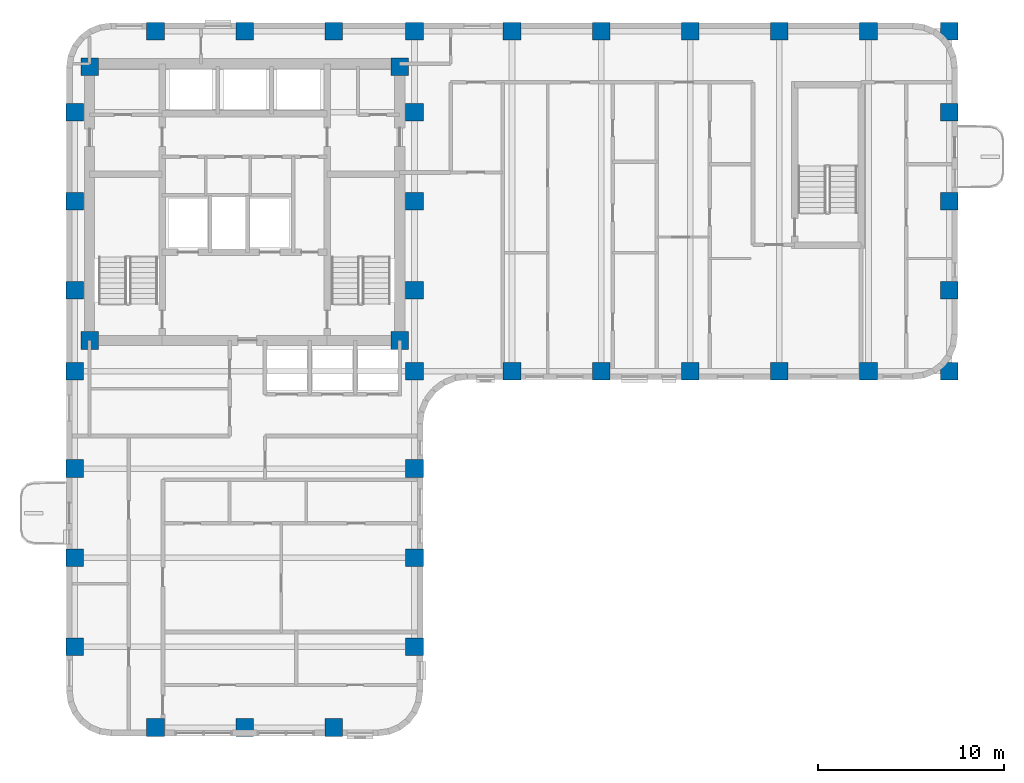
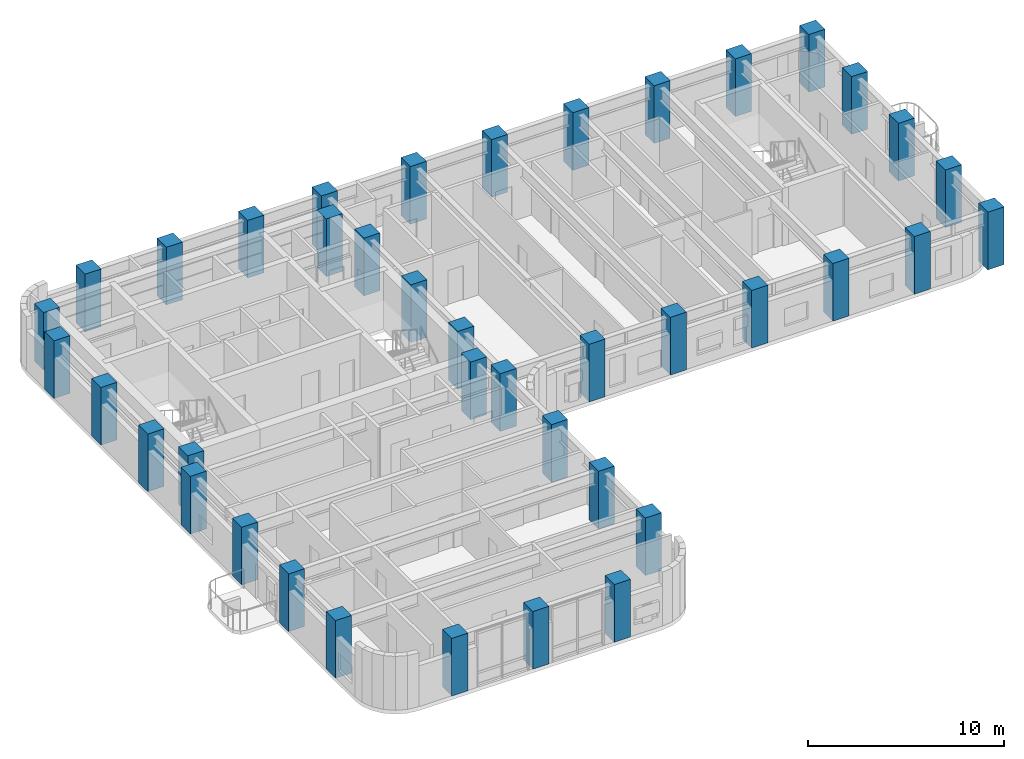
# One storey, part 1 of 11: 40 columns.
"""IFC4 building model written with IfcOpenShell, lengths in metres."""

import ifcopenshell
import ifcopenshell.guid

model = None  # the IFC model being written
_history = None  # IfcOwnerHistory: only IFC2X3 demands one
_inside = {}  # id of a spatial element -> (the spatial element, [elements in it])
_under = {}  # id of a project, library or spatial element -> (it, [spatial elements below it])
_declared = {}  # id of a project -> (the project, [libraries it declares])
_typed = {}  # id of a type object -> (the type object, [elements of that type])
_made_of = {}  # id of a material, layer set ... -> (it, [elements and type objects made of it])


def new_model(schema):
    """Start an empty IFC model of exactly this schema.

    Asked for "IFC4X3", IfcOpenShell would pick the latest addendum, in which some entities
    have other attributes; the version numbers below select the first issue.
    IFC2X3 requires an IfcOwnerHistory on every rooted entity: one is made here for all.
    """
    global model, _history
    if schema == "IFC4X3":
        model = ifcopenshell.file(schema_version=(4, 3, 0, 0))
    else:
        model = ifcopenshell.file(schema=schema)
    _inside.clear()
    _under.clear()
    _declared.clear()
    _typed.clear()
    _made_of.clear()
    _history = None
    if model.schema == "IFC2X3":
        org = make("IfcOrganization", Name="unknown")
        user = make(
            "IfcPersonAndOrganization",
            ThePerson=make("IfcPerson", FamilyName="unknown"),
            TheOrganization=org,
        )
        app = make(
            "IfcApplication",
            ApplicationDeveloper=org,
            Version="unknown",
            ApplicationFullName="unknown",
            ApplicationIdentifier="unknown",
        )
        _history = make(
            "IfcOwnerHistory",
            OwningUser=user,
            OwningApplication=app,
            ChangeAction="ADDED",
            CreationDate=0,
        )
    return model


def make(cls, **values):
    """One entity of the class cls with the attributes given. An attribute that is None is left unset."""
    return model.create_entity(
        cls, **{name: value for name, value in values.items() if value is not None}
    )


def rooted(cls, **values):
    """An entity with a GlobalId (a new one), such as an element, a storey or a relation."""
    return make(cls, GlobalId=ifcopenshell.guid.new(), OwnerHistory=_history, **values)


def si_unit(unit_type, name, prefix=None):
    """IfcSIUnit, for example si_unit("LENGTHUNIT", "METRE", prefix="MILLI")."""
    return make("IfcSIUnit", UnitType=unit_type, Prefix=prefix, Name=name)


def assignment(units):
    """IfcUnitAssignment: the units of a project."""
    return None if units is None else make("IfcUnitAssignment", Units=units)


def point(xyz):
    """IfcCartesianPoint."""
    return None if xyz is None else make("IfcCartesianPoint", Coordinates=xyz)


def direction(xyz):
    """IfcDirection."""
    return None if xyz is None else make("IfcDirection", DirectionRatios=xyz)


def frame(location, z_axis=None, x_axis=None):
    """IfcAxis2Placement3D, a coordinate frame: its origin and axes. An axis left out is left unset."""
    return make(
        "IfcAxis2Placement3D",
        Location=point(location),
        Axis=direction(z_axis),
        RefDirection=direction(x_axis),
    )


def frame_2d(location, x_axis=None):
    """IfcAxis2Placement2D, a coordinate frame in the plane: its origin and x axis."""
    return make(
        "IfcAxis2Placement2D", Location=point(location), RefDirection=direction(x_axis)
    )


def origin():
    """The frame at (0, 0, 0) with its axes left unset."""
    return frame((0.0, 0.0, 0.0))


def origin_2d():
    """The frame at (0, 0) in the plane with its x axis left unset."""
    return frame_2d((0.0, 0.0))


def place(relative_to, where):
    """IfcLocalPlacement: puts the frame where relative to a parent placement (None: the world)."""
    return make(
        "IfcLocalPlacement", PlacementRelTo=relative_to, RelativePlacement=where
    )


def context(
    kind, dimensions, precision=None, world=None, true_north=None, identifier=None
):
    """IfcGeometricRepresentationContext, for example the 3D "Model" context."""
    return make(
        "IfcGeometricRepresentationContext",
        ContextIdentifier=identifier,
        ContextType=kind,
        CoordinateSpaceDimension=dimensions,
        Precision=precision,
        WorldCoordinateSystem=world,
        TrueNorth=true_north,
    )


def subcontext(parent, identifier, kind, view, scale=None):
    """IfcGeometricRepresentationSubContext, for example "Body" below "Model"."""
    return make(
        "IfcGeometricRepresentationSubContext",
        ContextIdentifier=identifier,
        ContextType=kind,
        ParentContext=parent,
        TargetScale=scale,
        TargetView=view,
    )


def project(units=None, contexts=None):
    """IfcProject with its units and contexts."""
    return rooted(
        "IfcProject",
        Name="project",
        RepresentationContexts=contexts,
        UnitsInContext=assignment(units),
    )


def spatial(cls, under=None, at=None, **own):
    """A site, building, storey or space (cls), placed at a placement, below another one or the project."""
    s = rooted(cls, ObjectPlacement=at, **own)
    if under is not None:
        _under.setdefault(under.id(), (under, []))[1].append(s)
    return s


def profile(cls, at=None, kind="AREA", **sizes):
    """A parametric profile (cls). Its sizes go by their IFC names, for example OverallWidth=200.0."""
    return make(cls, ProfileType=kind, Position=at, **sizes)


def rectangle(**sizes):
    """IfcRectangleProfileDef."""
    return profile("IfcRectangleProfileDef", **sizes)


def extrude(swept, where, along, depth):
    """IfcExtrudedAreaSolid: the profile swept, set in the frame where, extruded along a direction by depth."""
    return make(
        "IfcExtrudedAreaSolid",
        SweptArea=swept,
        Position=where,
        ExtrudedDirection=direction(along),
        Depth=depth,
    )


def shape(context_of_items, identifier, shape_type, items):
    """IfcShapeRepresentation: the items that make up one representation, for example the "Body"."""
    return make(
        "IfcShapeRepresentation",
        ContextOfItems=context_of_items,
        RepresentationIdentifier=identifier,
        RepresentationType=shape_type,
        Items=items,
    )


def material(Name=None, Category=None):
    """IfcMaterial."""
    return make("IfcMaterial", Name=Name, Category=Category)


def material_profile(
    of_material, cross_section, Name=None, Category=None, Priority=None
):
    """IfcMaterialProfile: a cross section and its material."""
    return make(
        "IfcMaterialProfile",
        Name=Name,
        Material=of_material,
        Profile=cross_section,
        Priority=Priority,
        Category=Category,
    )


def profile_set(profiles, Name=None, composite=None):
    """IfcMaterialProfileSet."""
    return make(
        "IfcMaterialProfileSet",
        Name=Name,
        MaterialProfiles=profiles,
        CompositeProfile=composite,
    )


def made_of(thing, what):
    """Note that an element or type object is made of a material, layer set ...; save() writes the relation."""
    if what is not None:
        _made_of.setdefault(what.id(), (what, []))[1].append(thing)
    return thing


def type_object(cls, material=None, **own):
    """A type object (cls), such as IfcWallType, which elements share."""
    return made_of(rooted(cls, **own), material)


def element(
    cls,
    number,
    at=None,
    inside=None,
    cuts=None,
    type_object=None,
    material=None,
    context=None,
    identifier="Body",
    shape_type=None,
    held_by="IfcProductDefinitionShape",
    body=None,
    shapes=None,
    **own,
):
    """One element of the class cls, such as IfcWall. Its Tag is "e" and its number.

    at: its placement. inside: the storey or other place that contains it. cuts: it is an
    opening in that element (IfcRelVoidsElement). A single representation is given by context,
    identifier, shape_type and body (its items); several are given by shapes. held_by: the class
    of the entity that holds the representations. save() writes the other relations.
    """
    e = rooted(cls, Tag="e%d" % number, ObjectPlacement=at, **own)
    if body is not None:
        shapes = [shape(context, identifier, shape_type, body)]
    if shapes is not None:
        e.Representation = make(held_by, Representations=shapes)
    if inside is not None:
        _inside.setdefault(inside.id(), (inside, []))[1].append(e)
    if cuts is not None:
        rooted(
            "IfcRelVoidsElement", RelatingBuildingElement=cuts, RelatedOpeningElement=e
        )
    if type_object is not None:
        _typed.setdefault(type_object.id(), (type_object, []))[1].append(e)
    return made_of(e, material)


def aggregate(whole, parts):
    """IfcRelAggregates: a whole, such as a stair, and the parts it consists of."""
    return rooted("IfcRelAggregates", RelatingObject=whole, RelatedObjects=parts)


def save(model, path):
    """Write the relations noted so far, then the file.

    IfcRelAggregates (storeys below a building ...), IfcRelContainedInSpatialStructure (elements
    in a storey), IfcRelDefinesByType, IfcRelAssociatesMaterial and IfcRelDeclares: one each for
    every whole, place, type object, material and project.
    """
    for whole, parts in _under.values():
        aggregate(whole, parts)
    for where, things in _inside.values():
        rooted(
            "IfcRelContainedInSpatialStructure",
            RelatedElements=things,
            RelatingStructure=where,
        )
    for kind, things in _typed.values():
        rooted("IfcRelDefinesByType", RelatedObjects=things, RelatingType=kind)
    for what, things in _made_of.values():
        rooted("IfcRelAssociatesMaterial", RelatedObjects=things, RelatingMaterial=what)
    for by, libraries in _declared.values():
        rooted("IfcRelDeclares", RelatingContext=by, RelatedDefinitions=libraries)
    model.write(path)


model = new_model("IFC4")

# Units and contexts
model_context = context("Model", 3, precision=1e-05, world=origin(), true_north=direction((0.0, 1.0)))
body_context = subcontext(model_context, "Body", "Model", "MODEL_VIEW")
ifc_project = project(units=[si_unit("LENGTHUNIT", "METRE"), si_unit("AREAUNIT", "SQUARE_METRE"), si_unit("VOLUMEUNIT", "CUBIC_METRE"), si_unit("PLANEANGLEUNIT", "RADIAN"), si_unit("MASSUNIT", "GRAM", prefix="KILO")], contexts=[model_context])

# Site, building, storey
site_placement = place(None, origin())
site = spatial("IfcSite", under=ifc_project, at=site_placement, CompositionType="ELEMENT")
building_placement = place(site_placement, origin())
building = spatial("IfcBuilding", under=site, at=building_placement, Name="Orvandelia Arch Residences", CompositionType="ELEMENT")
storey_placement = place(building_placement, frame((0.0, 0.0, 146.800048828125)))
storey = spatial("IfcBuildingStorey", under=building, at=storey_placement, Name="L38", CompositionType="ELEMENT", Elevation=146.800048828125)

# Columns
ifc_material = material(Name="Concrete C60/75", Category="concrete")
ifc_material_profile = material_profile(ifc_material, rectangle(XDim=0.949951171875, YDim=0.949951171875, at=origin_2d()), Name="Concrete C60/75", Category="concrete")
ifc_profile_set = profile_set([ifc_material_profile], Name="Concrete C60/75")
column_type = type_object("IfcColumnType", Name="COL-TWR-950", PredefinedType="COLUMN", material=ifc_profile_set)
for number, where, z_axis, x_axis, name in (
    (1, (5.25, 14.39990234375, 0.0), (0.0, 0.0, 1.0), (1.0, 0.0, 0.0), "Structural Column L38-W-W-144"),
    (2, (5.25, 19.199951171875, 0.0), (0.0, 0.0, 1.0), (1.0, 0.0, 0.0), "Structural Column L38-W-W-192"),
    (3, (5.25, 24.0, 0.0), (0.0, 0.0, 1.0), (1.0, 0.0, 0.0), "Structural Column L38-W-W-240"),
    (4, (5.25, 29.25, 0.0), (0.0, 0.0, 1.0), (1.0, 0.0, 0.0), "Structural Column L38-W-W-292"),
    (5, (5.25, 33.60009765625, 0.0), (0.0, 0.0, 1.0), (1.0, 0.0, 0.0), "Structural Column L38-W-W-336"),
    (6, (5.25, 38.39990234375, 0.0), (0.0, 0.0, 1.0), (1.0, 0.0, 0.0), "Structural Column L38-W-W-384"),
    (7, (5.25, 43.199951171875, 0.0), (0.0, 0.0, 1.0), (1.0, 0.0, 0.0), "Structural Column L38-W-W-432"),
    (8, (6.050048828125, 30.89990234375, 0.0), (0.0, 0.0, 1.0), (1.0, 0.0, 0.0), "Structural Column L38-CR-SW"),
    (9, (6.050048828125, 45.64990234375, 0.0), (0.0, 0.0, 1.0), (1.0, 0.0, 0.0), "Structural Column L38-CR-NW"),
    (10, (9.60009765625, 10.050048828125, 0.0), (0.0, 0.0, 1.0), (1.0, 0.0, 0.0), "Structural Column L38-W-S-96"),
    (11, (9.60009765625, 47.550048828125, 0.0), (0.0, 0.0, 1.0), (1.0, 0.0, 0.0), "Structural Column L38-W-N-96"),
    (12, (14.39990234375, 10.050048828125, 0.0), (0.0, 0.0, 1.0), (1.0, 0.0, 0.0), "Structural Column L38-W-S-144"),
    (13, (14.39990234375, 47.550048828125, 0.0), (0.0, 0.0, 1.0), (1.0, 0.0, 0.0), "Structural Column L38-W-N-144"),
    (14, (19.199951171875, 10.050048828125, 0.0), (0.0, 0.0, 1.0), (1.0, 0.0, 0.0), "Structural Column L38-W-S-192"),
    (15, (19.199951171875, 47.550048828125, 0.0), (0.0, 0.0, 1.0), (1.0, 0.0, 0.0), "Structural Column L38-W-N-192"),
    (16, (22.75, 30.89990234375, 0.0), (0.0, 0.0, 1.0), (1.0, 0.0, 0.0), "Structural Column L38-CR-SE"),
    (17, (22.75, 45.64990234375, 0.0), (0.0, 0.0, 1.0), (1.0, 0.0, 0.0), "Structural Column L38-CR-NE"),
    (18, (23.550048828125, 14.39990234375, 0.0), (0.0, 0.0, 1.0), (1.0, 0.0, 0.0), "Structural Column L38-W-E-144"),
    (19, (23.550048828125, 19.199951171875, 0.0), (0.0, 0.0, 1.0), (1.0, 0.0, 0.0), "Structural Column L38-W-E-192"),
    (20, (23.550048828125, 24.0, 0.0), (0.0, 0.0, 1.0), (1.0, 0.0, 0.0), "Structural Column L38-W-E-240"),
    (21, (23.550048828125, 29.25, 0.0), (0.0, 0.0, 1.0), (1.0, 0.0, 0.0), "Structural Column L38-W-E-292"),
    (22, (23.550048828125, 33.60009765625, 0.0), (0.0, 0.0, 1.0), (1.0, 0.0, 0.0), "Structural Column L38-W-E-336"),
    (23, (23.550048828125, 38.39990234375, 0.0), (0.0, 0.0, 1.0), (1.0, 0.0, 0.0), "Structural Column L38-W-E-384"),
    (24, (23.550048828125, 43.199951171875, 0.0), (0.0, 0.0, 1.0), (1.0, 0.0, 0.0), "Structural Column L38-W-E-432"),
    (25, (23.550048828125, 47.550048828125, 0.0), (0.0, 0.0, 1.0), (1.0, 0.0, 0.0), "Structural Column L38-W-N-235"),
    (26, (28.800048828125, 29.25, 0.0), (0.0, 0.0, 1.0), (1.0, 0.0, 0.0), "Structural Column L38-E-S-288"),
    (27, (28.800048828125, 47.550048828125, 0.0), (0.0, 0.0, 1.0), (1.0, 0.0, 0.0), "Structural Column L38-E-N-288"),
    (28, (33.60009765625, 29.25, 0.0), (0.0, 0.0, 1.0), (1.0, 0.0, 0.0), "Structural Column L38-E-S-336"),
    (29, (33.60009765625, 47.550048828125, 0.0), (0.0, 0.0, 1.0), (1.0, 0.0, 0.0), "Structural Column L38-E-N-336"),
    (30, (38.39990234375, 29.25, 0.0), (0.0, 0.0, 1.0), (1.0, 0.0, 0.0), "Structural Column L38-E-S-384"),
    (31, (38.39990234375, 47.550048828125, 0.0), (0.0, 0.0, 1.0), (1.0, 0.0, 0.0), "Structural Column L38-E-N-384"),
    (32, (43.199951171875, 29.25, 0.0), (0.0, 0.0, 1.0), (1.0, 0.0, 0.0), "Structural Column L38-E-S-432"),
    (33, (43.199951171875, 47.550048828125, 0.0), (0.0, 0.0, 1.0), (1.0, 0.0, 0.0), "Structural Column L38-E-N-432"),
    (34, (48.0, 29.25, 0.0), (0.0, 0.0, 1.0), (1.0, 0.0, 0.0), "Structural Column L38-E-S-480"),
    (35, (48.0, 47.550048828125, 0.0), (0.0, 0.0, 1.0), (1.0, 0.0, 0.0), "Structural Column L38-E-N-480"),
    (36, (52.35009765625, 29.25, 0.0), (0.0, 0.0, 1.0), (1.0, 0.0, 0.0), "Structural Column L38-E-S-523"),
    (37, (52.35009765625, 33.60009765625, 0.0), (0.0, 0.0, 1.0), (1.0, 0.0, 0.0), "Structural Column L38-E-523-336"),
    (38, (52.35009765625, 38.39990234375, 0.0), (0.0, 0.0, 1.0), (1.0, 0.0, 0.0), "Structural Column L38-E-523-384"),
    (39, (52.35009765625, 43.199951171875, 0.0), (0.0, 0.0, 1.0), (1.0, 0.0, 0.0), "Structural Column L38-E-523-432"),
    (40, (52.35009765625, 47.550048828125, 0.0), (0.0, 0.0, 1.0), (1.0, 0.0, 0.0), "Structural Column L38-E-N-523"),
):
    element("IfcColumn", number, at=place(storey_placement, frame(where, z_axis=z_axis, x_axis=x_axis)), inside=storey, type_object=column_type, Name=name, PredefinedType="COLUMN", context=body_context, shape_type="SweptSolid", body=[
        extrude(rectangle(XDim=0.949951171875, YDim=0.949951171875, at=origin_2d()), origin(), (0.0, 0.0, 1.0), 3.599853515625),
    ])

save(model, "model.ifc")
